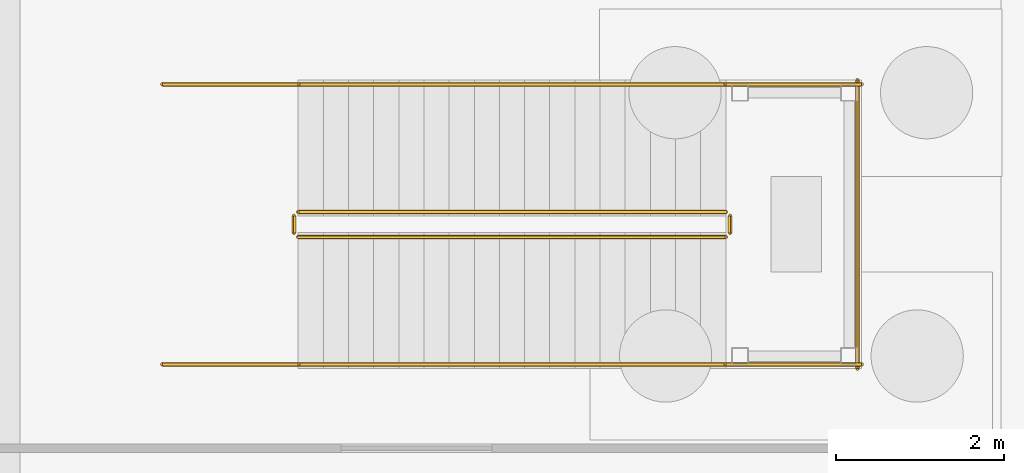
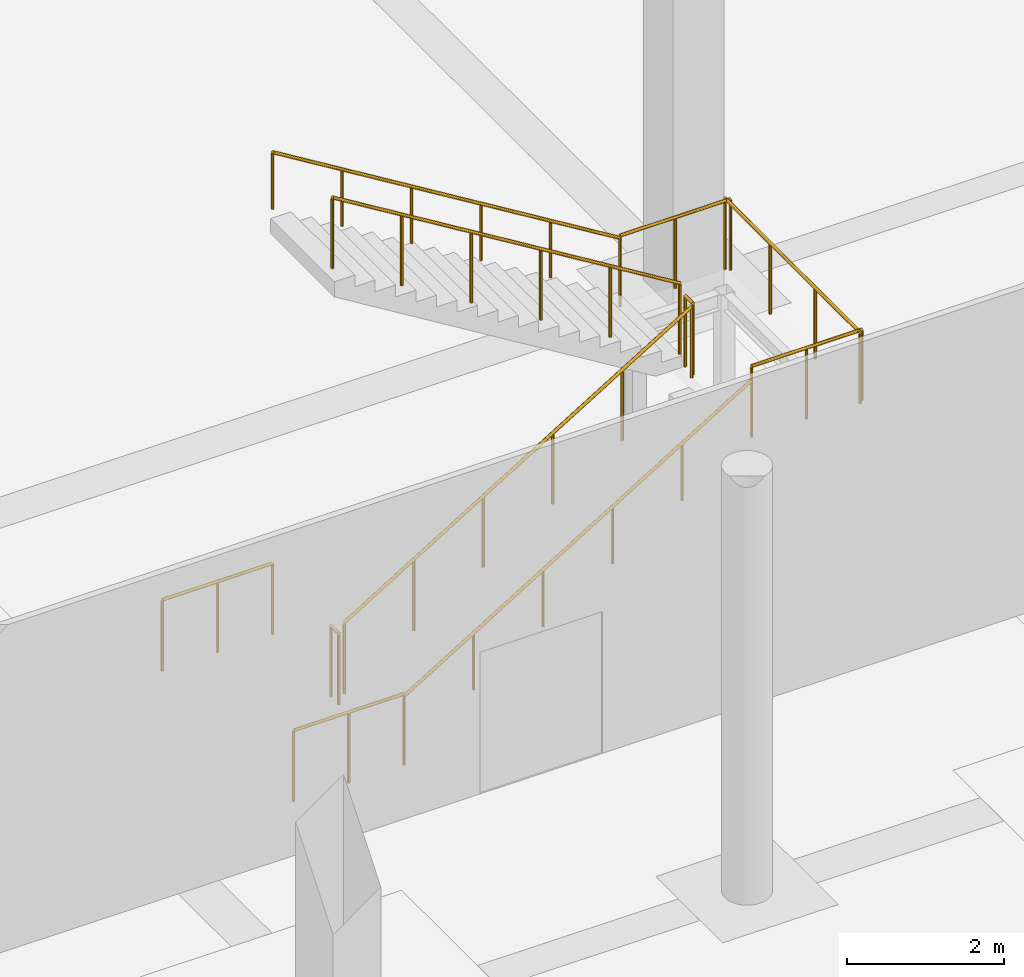
# One storey, part 107 of 117: 11 railings.
"""IFC4 building model written with IfcOpenShell, lengths in metres."""

from ifc_helpers import new_model, si_unit, direction, frame, origin, origin_2d, place, context, subcontext, project, spatial, circle, extrude, material, type_object, element, save


model = new_model("IFC4")

# Units and contexts
model_context = context("Model", 3, precision=1e-05, world=origin(), true_north=direction((0.0, 1.0)))
body_context = subcontext(model_context, "Body", "Model", "MODEL_VIEW")
ifc_project = project(units=[si_unit("LENGTHUNIT", "METRE"), si_unit("AREAUNIT", "SQUARE_METRE"), si_unit("VOLUMEUNIT", "CUBIC_METRE"), si_unit("PLANEANGLEUNIT", "RADIAN"), si_unit("MASSUNIT", "GRAM", prefix="KILO")], contexts=[model_context])

# Site, building, storey
site_placement = place(None, origin())
site = spatial("IfcSite", under=ifc_project, at=site_placement, CompositionType="ELEMENT")
building_placement = place(site_placement, origin())
building = spatial("IfcBuilding", under=site, at=building_placement, Name="Kamomehara Wholesale Market", CompositionType="ELEMENT")
storey_placement = place(building_placement, origin())
storey = spatial("IfcBuildingStorey", under=building, at=storey_placement, Name="L00", CompositionType="ELEMENT", Elevation=0.0)

# Railings
ifc_material_1 = material(Name="Steel SN400B", Category="steel")
railing_type_1 = type_object("IfcRailingType", Name="RAL-HND-900", PredefinedType="HANDRAIL", material=ifc_material_1)
railing_1_placement = place(storey_placement, frame((87.6201171875, 112.60009765625, 0.183349609375)))
element("IfcRailing", 1, at=railing_1_placement, inside=storey, type_object=railing_type_1, Name="L00 ST-11 stair handrail 1", PredefinedType="HANDRAIL", context=body_context, shape_type="SweptSolid", body=[
    extrude(circle(Radius=0.02392578125, at=origin_2d()), frame((0.0, 0.0, 0.8759765625), z_axis=(0.853272746002, 0.0, 0.521464879863), x_axis=(0.0, 1.0, 0.0)), (0.0, 0.0, 1.0), 5.976806640625),
    extrude(circle(Radius=0.02099609375, at=origin_2d()), origin(), (0.0, 0.0, 1.0), 0.851806640625),
    extrude(circle(Radius=0.02099609375, at=origin_2d()), frame((1.02001953125, 0.0, 0.623291015625)), (0.0, 0.0, 1.0), 0.851806640625),
    extrude(circle(Radius=0.02099609375, at=origin_2d()), frame((2.0400390625, 0.0, 1.24658203125)), (0.0, 0.0, 1.0), 0.851806640625),
    extrude(circle(Radius=0.02099609375, at=origin_2d()), frame((3.059814453125, 0.0, 1.8701171875)), (0.0, 0.0, 1.0), 0.851806640625),
    extrude(circle(Radius=0.02099609375, at=origin_2d()), frame((4.079833984375, 0.0, 2.493408203125)), (0.0, 0.0, 1.0), 0.851806640625),
    extrude(circle(Radius=0.02099609375, at=origin_2d()), frame((5.099853515625, 0.0, 3.11669921875)), (0.0, 0.0, 1.0), 0.851806640625),
])
railing_2_placement = place(storey_placement, frame((92.719970703125, 115.93994140625, 3.4833984375)))
element("IfcRailing", 2, at=railing_2_placement, inside=storey, type_object=railing_type_1, Name="L00 ST-11 stair handrail 2", PredefinedType="HANDRAIL", context=body_context, shape_type="SweptSolid", body=[
    extrude(circle(Radius=0.02392578125, at=origin_2d()), frame((0.0, 0.0, 0.8759765625), z_axis=(-0.853272746002, 0.0, 0.521464879863), x_axis=(0.0, -1.0, 0.0)), (0.0, 0.0, 1.0), 5.976806640625),
    extrude(circle(Radius=0.02099609375, at=origin_2d()), origin(), (0.0, 0.0, 1.0), 0.851806640625),
    extrude(circle(Radius=0.02099609375, at=origin_2d()), frame((-1.02001953125, 0.0, 0.623291015625)), (0.0, 0.0, 1.0), 0.851806640625),
    extrude(circle(Radius=0.02099609375, at=origin_2d()), frame((-2.0400390625, 0.0, 1.24658203125)), (0.0, 0.0, 1.0), 0.851806640625),
    extrude(circle(Radius=0.02099609375, at=origin_2d()), frame((-3.059814453125, 0.0, 1.8701171875)), (0.0, 0.0, 1.0), 0.851806640625),
    extrude(circle(Radius=0.02099609375, at=origin_2d()), frame((-4.079833984375, 0.0, 2.493408203125)), (0.0, 0.0, 1.0), 0.851806640625),
    extrude(circle(Radius=0.02099609375, at=origin_2d()), frame((-5.099853515625, 0.0, 3.11669921875)), (0.0, 0.0, 1.0), 0.851806640625),
])
ifc_material_2 = material(Name="Steel SN400B", Category="steel")
railing_type_2 = type_object("IfcRailingType", Name="RAL-INT-1100", PredefinedType="BALUSTRADE", material=ifc_material_2)
railing_3_placement = place(storey_placement, frame((87.6201171875, 114.1201171875, 0.183349609375)))
element("IfcRailing", 3, at=railing_3_placement, inside=storey, type_object=railing_type_2, Name="L00 ST-11 stair guard 1", PredefinedType="BALUSTRADE", context=body_context, shape_type="SweptSolid", body=[
    extrude(circle(Radius=0.02392578125, at=origin_2d()), frame((0.0, 0.0, 1.09619140625), z_axis=(0.853272746002, 0.0, 0.521464879863), x_axis=(0.0, 1.0, 0.0)), (0.0, 0.0, 1.0), 5.976806640625),
    extrude(circle(Radius=0.02099609375, at=origin_2d()), origin(), (0.0, 0.0, 1.0), 1.072021484375),
    extrude(circle(Radius=0.02099609375, at=origin_2d()), frame((1.02001953125, 0.0, 0.623291015625)), (0.0, 0.0, 1.0), 1.072021484375),
    extrude(circle(Radius=0.02099609375, at=origin_2d()), frame((2.0400390625, 0.0, 1.24658203125)), (0.0, 0.0, 1.0), 1.072021484375),
    extrude(circle(Radius=0.02099609375, at=origin_2d()), frame((3.059814453125, 0.0, 1.8701171875)), (0.0, 0.0, 1.0), 1.072021484375),
    extrude(circle(Radius=0.02099609375, at=origin_2d()), frame((4.079833984375, 0.0, 2.493408203125)), (0.0, 0.0, 1.0), 1.072021484375),
    extrude(circle(Radius=0.02099609375, at=origin_2d()), frame((5.099853515625, 0.0, 3.11669921875)), (0.0, 0.0, 1.0), 1.072021484375),
])
railing_4_placement = place(storey_placement, frame((92.77001953125, 114.169921875, 3.300048828125)))
element("IfcRailing", 4, at=railing_4_placement, inside=storey, type_object=railing_type_2, Name="L00 ST-11 stair guard 2", PredefinedType="BALUSTRADE", context=body_context, shape_type="SweptSolid", body=[
    extrude(circle(Radius=0.02392578125, at=origin_2d()), frame((0.0, 0.0, 1.09619140625), z_axis=(0.0, 1.0, 0.0), x_axis=(-1.0, 0.0, 0.0)), (0.0, 0.0, 1.0), 0.2001953125),
    extrude(circle(Radius=0.02099609375, at=origin_2d()), origin(), (0.0, 0.0, 1.0), 1.072021484375),
    extrude(circle(Radius=0.02099609375, at=origin_2d()), frame((0.0, 0.2001953125, 0.0)), (0.0, 0.0, 1.0), 1.072021484375),
])
for number, where, name in (
    (5, (92.719970703125, 112.60009765625, 3.300048828125), "L00 ST-11 stair guard 3"),
    (6, (92.719970703125, 115.93994140625, 3.300048828125), "L00 ST-11 stair guard 4"),
):
    element("IfcRailing", number, at=place(storey_placement, frame(where)), inside=storey, type_object=railing_type_2, Name=name, PredefinedType="BALUSTRADE", context=body_context, shape_type="SweptSolid", body=[
        extrude(circle(Radius=0.02392578125, at=origin_2d()), frame((0.0, 0.0, 1.09619140625), z_axis=(1.0, 0.0, 0.0), x_axis=(0.0, 1.0, 0.0)), (0.0, 0.0, 1.0), 1.6201171875),
        extrude(circle(Radius=0.02099609375, at=origin_2d()), origin(), (0.0, 0.0, 1.0), 1.072021484375),
        extrude(circle(Radius=0.02099609375, at=origin_2d()), frame((0.81005859375, 0.0, 0.0)), (0.0, 0.0, 1.0), 1.072021484375),
        extrude(circle(Radius=0.02099609375, at=origin_2d()), frame((1.6201171875, 0.0, 0.0)), (0.0, 0.0, 1.0), 1.072021484375),
    ])
railing_5_placement = place(storey_placement, frame((94.2900390625, 112.550048828125, 3.300048828125)))
element("IfcRailing", 7, at=railing_5_placement, inside=storey, type_object=railing_type_2, Name="L00 ST-11 stair guard 5", PredefinedType="BALUSTRADE", context=body_context, shape_type="SweptSolid", body=[
    extrude(circle(Radius=0.02392578125, at=origin_2d()), frame((0.0, 0.0, 1.09619140625), z_axis=(0.0, 1.0, 0.0), x_axis=(-1.0, 0.0, 0.0)), (0.0, 0.0, 1.0), 3.43994140625),
    extrude(circle(Radius=0.02099609375, at=origin_2d()), origin(), (0.0, 0.0, 1.0), 1.072021484375),
    extrude(circle(Radius=0.02099609375, at=origin_2d()), frame((0.0, 1.146728515625, 0.0)), (0.0, 0.0, 1.0), 1.072021484375),
    extrude(circle(Radius=0.02099609375, at=origin_2d()), frame((0.0, 2.293212890625, 0.0)), (0.0, 0.0, 1.0), 1.072021484375),
    extrude(circle(Radius=0.02099609375, at=origin_2d()), frame((0.0, 3.43994140625, 0.0)), (0.0, 0.0, 1.0), 1.072021484375),
])
railing_6_placement = place(storey_placement, frame((92.719970703125, 114.419921875, 3.4833984375)))
element("IfcRailing", 8, at=railing_6_placement, inside=storey, type_object=railing_type_2, Name="L00 ST-11 stair guard 6", PredefinedType="BALUSTRADE", context=body_context, shape_type="SweptSolid", body=[
    extrude(circle(Radius=0.02392578125, at=origin_2d()), frame((0.0, 0.0, 1.09619140625), z_axis=(-0.853272746002, 0.0, 0.521464879863), x_axis=(0.0, -1.0, 0.0)), (0.0, 0.0, 1.0), 5.976806640625),
    extrude(circle(Radius=0.02099609375, at=origin_2d()), origin(), (0.0, 0.0, 1.0), 1.072021484375),
    extrude(circle(Radius=0.02099609375, at=origin_2d()), frame((-1.02001953125, 0.0, 0.623291015625)), (0.0, 0.0, 1.0), 1.072021484375),
    extrude(circle(Radius=0.02099609375, at=origin_2d()), frame((-2.0400390625, 0.0, 1.24658203125)), (0.0, 0.0, 1.0), 1.072021484375),
    extrude(circle(Radius=0.02099609375, at=origin_2d()), frame((-3.059814453125, 0.0, 1.8701171875)), (0.0, 0.0, 1.0), 1.072021484375),
    extrude(circle(Radius=0.02099609375, at=origin_2d()), frame((-4.079833984375, 0.0, 2.493408203125)), (0.0, 0.0, 1.0), 1.072021484375),
    extrude(circle(Radius=0.02099609375, at=origin_2d()), frame((-5.099853515625, 0.0, 3.11669921875)), (0.0, 0.0, 1.0), 1.072021484375),
])
railing_7_placement = place(storey_placement, frame((87.570068359375, 114.169921875, 0.0)))
element("IfcRailing", 9, at=railing_7_placement, inside=storey, type_object=railing_type_2, Name="L00 ST-11 stair guard 7", PredefinedType="BALUSTRADE", context=body_context, shape_type="SweptSolid", body=[
    extrude(circle(Radius=0.02392578125, at=origin_2d()), frame((0.0, 0.0, 1.09619140625), z_axis=(0.0, 1.0, 0.0), x_axis=(-1.0, 0.0, 0.0)), (0.0, 0.0, 1.0), 0.2001953125),
    extrude(circle(Radius=0.02099609375, at=origin_2d()), origin(), (0.0, 0.0, 1.0), 1.072021484375),
    extrude(circle(Radius=0.02099609375, at=origin_2d()), frame((0.0, 0.2001953125, 0.0)), (0.0, 0.0, 1.0), 1.072021484375),
])
for number, where, name in (
    (10, (86.0, 112.60009765625, 0.0), "L00 ST-11 stair guard 8"),
    (11, (86.0, 115.93994140625, 0.0), "L00 ST-11 stair guard 9"),
):
    element("IfcRailing", number, at=place(storey_placement, frame(where)), inside=storey, type_object=railing_type_2, Name=name, PredefinedType="BALUSTRADE", context=body_context, shape_type="SweptSolid", body=[
        extrude(circle(Radius=0.02392578125, at=origin_2d()), frame((0.0, 0.0, 1.09619140625), z_axis=(1.0, 0.0, 0.0), x_axis=(0.0, 1.0, 0.0)), (0.0, 0.0, 1.0), 1.6201171875),
        extrude(circle(Radius=0.02099609375, at=origin_2d()), origin(), (0.0, 0.0, 1.0), 1.072021484375),
        extrude(circle(Radius=0.02099609375, at=origin_2d()), frame((0.81005859375, 0.0, 0.0)), (0.0, 0.0, 1.0), 1.072021484375),
        extrude(circle(Radius=0.02099609375, at=origin_2d()), frame((1.6201171875, 0.0, 0.0)), (0.0, 0.0, 1.0), 1.072021484375),
    ])

save(model, "model.ifc")
